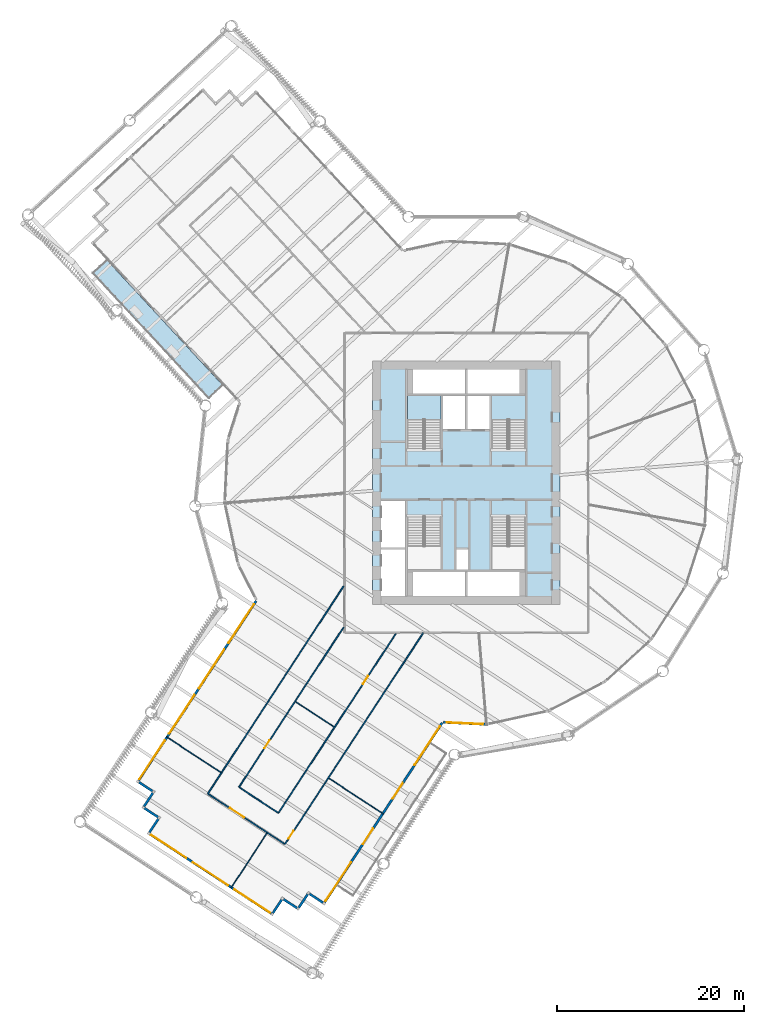
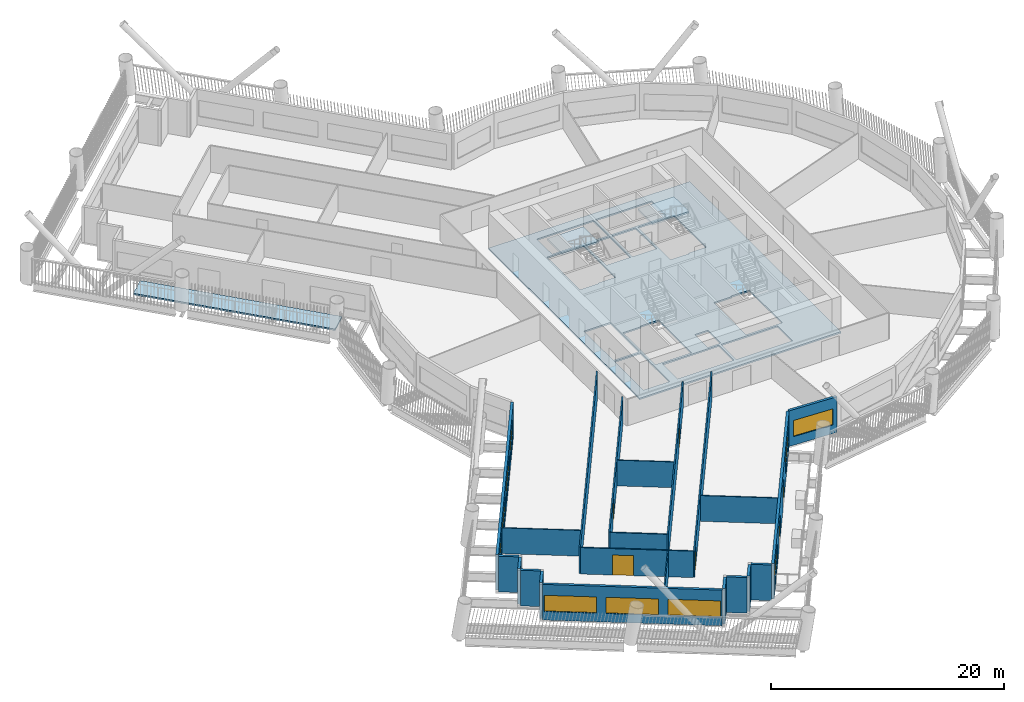
# One storey, part 3 of 22: 22 walls, 10 windows, 6 doors, 4 slabs, 16 openings, 2 elements without a shape of their own.
"""IFC4 building model written with IfcOpenShell, lengths in metres."""

from ifc_helpers import new_model, si_unit, direction, frame, frame_2d, origin, place, context, subcontext, project, spatial, polyline, rectangle, outline, extrude, material, layer, layer_set, type_object, element, fill, aggregate, save


model = new_model("IFC4")

# Units and contexts
model_context = context("Model", 3, precision=1e-05, world=origin(), true_north=direction((0.0, 1.0)))
body_context = subcontext(model_context, "Body", "Model", "MODEL_VIEW")
ifc_project = project(units=[si_unit("LENGTHUNIT", "METRE"), si_unit("AREAUNIT", "SQUARE_METRE"), si_unit("VOLUMEUNIT", "CUBIC_METRE"), si_unit("PLANEANGLEUNIT", "RADIAN"), si_unit("MASSUNIT", "GRAM", prefix="KILO")], contexts=[model_context])

# Site, building, storey
site_placement = place(None, origin())
site = spatial("IfcSite", under=ifc_project, at=site_placement, CompositionType="ELEMENT")
building_placement = place(site_placement, origin())
building = spatial("IfcBuilding", under=site, at=building_placement, Name="Tarsis Ring Headquarters", CompositionType="ELEMENT")
storey_placement = place(building_placement, frame((0.0, 0.0, 63.39990234375)))
storey = spatial("IfcBuildingStorey", under=building, at=storey_placement, Name="L13", CompositionType="ELEMENT", Elevation=63.39990234375)

# Slabs
ifc_material_1 = material(Name="Concrete C40/50", Category="concrete")
ifc_layer_1 = layer(ifc_material_1, 0.159912109375)
ifc_layer_set_1 = layer_set([ifc_layer_1], Name="Balcony slab concrete C40/50")
slab_type_1 = type_object("IfcSlabType", Name="Balcony slab concrete C40/50", PredefinedType="FLOOR", material=ifc_layer_set_1)
slab_1_placement = place(storey_placement, frame((0.0, 0.0, -0.159912109375)))
element("IfcSlab", 1, at=slab_1_placement, inside=storey, type_object=slab_type_1, Name="Balcony slab L13-01", PredefinedType="FLOOR", context=body_context, shape_type="SweptSolid", body=[
    extrude(outline(polyline([(-38.3603515625, 23.763916015625), (-39.827880859375, 22.405029296875), (-27.481201171875, 9.07177734375), (-26.013671875, 10.4306640625), (-38.3603515625, 23.763916015625)])), origin(), (0.0, 0.0, 1.0), 0.159912109375),
])
ifc_layer_2 = layer(ifc_material_1, 0.159912109375)
ifc_layer_set_2 = layer_set([ifc_layer_2], Name="Core floor slab 160 C40/50")
slab_type_2 = type_object("IfcSlabType", Name="Core floor slab 160 C40/50", PredefinedType="FLOOR", material=ifc_layer_set_2)
slab_2_placement = place(storey_placement, frame((0.0, 0.0, -0.159912109375)))
element("IfcSlab", 2, at=slab_2_placement, inside=storey, type_object=slab_type_2, Name="L13 core floor slab", PredefinedType="FLOOR", context=body_context, shape_type="SweptSolid", body=[
    extrude(outline(polyline([(-10.0, -13.0), (10.0, -13.0), (10.0, 13.0), (-10.0, 13.0), (-10.0, -13.0)]), holes=[polyline([(-2.5, 5.699951171875), (-0.10009765625, 5.699951171875), (-0.10009765625, 9.300048828125), (-2.5, 9.300048828125), (-2.5, 5.699951171875)]), polyline([(0.10009765625, 5.699951171875), (2.5, 5.699951171875), (2.5, 9.300048828125), (0.10009765625, 9.300048828125), (0.10009765625, 5.699951171875)]), polyline([(-9.10009765625, -12.10009765625), (-6.5, -12.10009765625), (-6.5, -7.10009765625), (-9.10009765625, -7.10009765625), (-9.10009765625, -12.10009765625)]), polyline([(-9.10009765625, -6.89990234375), (-6.5, -6.89990234375), (-6.5, -1.89990234375), (-9.10009765625, -1.89990234375), (-9.10009765625, -6.89990234375)]), polyline([(-5.699951171875, 9.5), (-0.10009765625, 9.5), (-0.10009765625, 12.10009765625), (-5.699951171875, 12.10009765625), (-5.699951171875, 9.5)]), polyline([(0.10009765625, 9.5), (5.699951171875, 9.5), (5.699951171875, 12.10009765625), (0.10009765625, 12.10009765625), (0.10009765625, 9.5)]), polyline([(-5.699951171875, -12.10009765625), (-0.10009765625, -12.10009765625), (-0.10009765625, -9.5), (-5.699951171875, -9.5), (-5.699951171875, -12.10009765625)]), polyline([(0.10009765625, -12.10009765625), (5.699951171875, -12.10009765625), (5.699951171875, -9.5), (0.10009765625, -9.5), (0.10009765625, -12.10009765625)]), polyline([(-1.10009765625, -9.300048828125), (0.199951171875, -9.300048828125), (0.199951171875, -7.10009765625), (-1.10009765625, -7.10009765625), (-1.10009765625, -9.300048828125)]), polyline([(-2.699951171875, 3.760009765625), (-2.699951171875, 9.300048828125), (-6.300048828125, 9.300048828125), (-6.300048828125, 3.659912109375), (-4.4599609375, 3.659912109375), (-4.4599609375, 3.760009765625), (-2.699951171875, 3.760009765625)]), polyline([(6.300048828125, 3.760009765625), (6.300048828125, 9.300048828125), (2.699951171875, 9.300048828125), (2.699951171875, 3.659912109375), (4.5400390625, 3.659912109375), (4.5400390625, 3.760009765625), (6.300048828125, 3.760009765625)]), polyline([(-6.300048828125, -3.760009765625), (-6.300048828125, -9.300048828125), (-2.699951171875, -9.300048828125), (-2.699951171875, -3.659912109375), (-4.5400390625, -3.659912109375), (-4.5400390625, -3.760009765625), (-6.300048828125, -3.760009765625)]), polyline([(2.699951171875, -3.760009765625), (2.699951171875, -9.300048828125), (6.300048828125, -9.300048828125), (6.300048828125, -3.659912109375), (4.4599609375, -3.659912109375), (4.4599609375, -3.760009765625), (2.699951171875, -3.760009765625)])]), origin(), (0.0, 0.0, 1.0), 0.159912109375),
])

# Stair, slab
ifc_material_2 = material(Name="Core stair 1760")
stair_type = type_object("IfcStairType", Name="Core stair 1760", PredefinedType="HALF_TURN_STAIR", material=ifc_material_2)
stair_1_placement = place(storey_placement, origin())
stair_1 = element("IfcStair", 3, at=stair_1_placement, inside=storey, type_object=stair_type, Name="L13 Firefighting stair", PredefinedType="HALF_TURN_STAIR")
ifc_layer_3 = layer(ifc_material_1, 0.199951171875)
ifc_layer_set_3 = layer_set([ifc_layer_3], Name="Core stair landing 200")
slab_type_3 = type_object("IfcSlabType", Name="Core stair landing 200", PredefinedType="LANDING", material=ifc_layer_set_3)
slab_3_placement = place(storey_placement, frame((0.0, 0.0, 1.75)))
slab_3 = element("IfcSlab", 4, at=slab_3_placement, type_object=slab_type_3, Name="Stair ST1 landing 1", PredefinedType="LANDING", context=body_context, shape_type="SweptSolid", body=[
    extrude(outline(polyline([(-2.699951171875, 6.739990234375), (-2.699951171875, 9.300048828125), (-6.300048828125, 9.300048828125), (-6.300048828125, 6.739990234375), (-2.699951171875, 6.739990234375)])), origin(), (0.0, 0.0, 1.0), 0.2001953125),
])
aggregate(stair_1, [slab_3])

stair_2_placement = place(storey_placement, origin())
stair_2 = element("IfcStair", 5, at=stair_2_placement, inside=storey, type_object=stair_type, Name="L13 Exit stair B", PredefinedType="HALF_TURN_STAIR")
slab_4_placement = place(storey_placement, frame((0.0, 0.0, 1.75)))
slab_4 = element("IfcSlab", 6, at=slab_4_placement, type_object=slab_type_3, Name="Stair ST2 landing 1", PredefinedType="LANDING", context=body_context, shape_type="SweptSolid", body=[
    extrude(outline(polyline([(6.300048828125, 6.739990234375), (6.300048828125, 9.300048828125), (2.699951171875, 9.300048828125), (2.699951171875, 6.739990234375), (6.300048828125, 6.739990234375)])), origin(), (0.0, 0.0, 1.0), 0.2001953125),
])
aggregate(stair_2, [slab_4])

# Walls
ifc_material_3 = material(Name="Gypsum board on steel studs", Category="steel")
ifc_layer_4 = layer(ifc_material_3, 0.10009765625)
ifc_layer_set_4 = layer_set([ifc_layer_4], Name="FL partition 100 unrated")
wall_type_1 = type_object("IfcWallType", Name="FL partition 100 unrated", PredefinedType="PARTITIONING", material=ifc_layer_set_4)
wall_1_placement = place(storey_placement, frame((-25.11669921875, -43.25830078125, 0.0), z_axis=(0.0, 0.0, 1.0), x_axis=(0.54755898409, 0.836767087631, 0.0)))
element("IfcWall", 7, at=wall_1_placement, inside=storey, type_object=wall_type_1, Name="Partition PW3", PredefinedType="PARTITIONING", context=body_context, shape_type="SweptSolid", body=[
    extrude(rectangle(XDim=7.010009765625, YDim=0.10009765625, at=frame_2d((3.5048828125, 0.0))), origin(), (0.0, 0.0, 1.0), 2.7001953125),
])
for number, where, z_axis, x_axis, name in (
    (8, (-14.671630859375, -31.53369140625, 0.0), (0.0, 0.0, 1.0), (0.836758209234, -0.547572551612, 0.0), "Partition PW3"),
    (9, (-32.016845703125, -27.102783203125, 0.0), (0.0, 0.0, 1.0), (0.836742136794, -0.547597111491, 0.0), "Partition PW3"),
):
    element("IfcWall", number, at=place(storey_placement, frame(where, z_axis=z_axis, x_axis=x_axis)), inside=storey, type_object=wall_type_1, Name=name, PredefinedType="PARTITIONING", context=body_context, shape_type="SweptSolid", body=[
        extrude(rectangle(XDim=6.9599609375, YDim=0.10009765625, at=frame_2d((3.47998046875, 0.0))), origin(), (0.0, 0.0, 1.0), 2.7001953125),
    ])
wall_2_placement = place(storey_placement, frame((-18.214111328125, -23.35986328125, 0.0), z_axis=(0.0, 0.0, 1.0), x_axis=(0.836779966296, -0.547539302705, 0.0)))
element("IfcWall", 10, at=wall_2_placement, inside=storey, type_object=wall_type_1, Name="Partition PW3", PredefinedType="PARTITIONING", context=body_context, shape_type="SweptSolid", body=[
    extrude(rectangle(XDim=4.89990234375, YDim=0.10009765625, at=frame_2d((2.449951171875, 0.0))), origin(), (0.0, 0.0, 1.0), 2.7001953125),
])

# Wall, opening, door
ifc_layer_5 = layer(ifc_material_3, 0.125)
ifc_layer_set_5 = layer_set([ifc_layer_5], Name="FL partition 125 EI 60 H2770")
wall_type_2 = type_object("IfcWallType", Name="FL partition 125 EI 60 H2770", PredefinedType="PARTITIONING", material=ifc_layer_set_5)
wall_3_placement = place(storey_placement, frame((-19.357177734375, -38.566162109375, 0.0), z_axis=(0.0, 0.0, 1.0), x_axis=(0.547562262884, 0.836764942063, 0.0)))
wall_3 = element("IfcWall", 11, at=wall_3_placement, inside=storey, type_object=wall_type_2, Name="Partition PW1", PredefinedType="PARTITIONING", context=body_context, shape_type="SweptSolid", body=[
    extrude(rectangle(XDim=26.96826171875, YDim=0.125, at=frame_2d((13.484130859375, 0.0))), origin(), (0.0, 0.0, 1.0), 2.77001953125),
])
opening_1_placement = place(wall_3_placement, frame((0.699951171875, 0.0, 0.0)))
opening_1 = element("IfcOpeningElement", 12, at=opening_1_placement, cuts=wall_3, Name="Opening D13.09", PredefinedType="OPENING", context=body_context, shape_type="SweptSolid", body=[
    extrude(rectangle(XDim=1.0, YDim=2.10009765625, at=frame_2d((0.5, 1.050048828125))), frame((0.0, 0.072509765625, 0.0), z_axis=(0.0, -1.0, 0.0), x_axis=(1.0, 0.0, 0.0)), (0.0, 0.0, 1.0), 0.14501953125),
])
ifc_material_4 = material(Name="Fire-rated timber door leaf in steel frame", Category="steel")
door_type_1 = type_object("IfcDoorType", Name="FL door FD60-1000", OperationType="NOTDEFINED", PredefinedType="DOOR", material=ifc_material_4)
door_1_placement = place(opening_1_placement, origin())
door_1 = element("IfcDoor", 13, at=door_1_placement, inside=storey, type_object=door_type_1, Name="Door D13.09", OperationType="SINGLE_SWING_RIGHT", OverallHeight=2.10009765625, OverallWidth=1.0, PredefinedType="DOOR", context=body_context, shape_type="SweptSolid", body=[
    extrude(rectangle(XDim=1.0, YDim=2.10009765625, at=frame_2d((0.5, 1.050048828125))), frame((0.0, 0.02490234375, 0.0), z_axis=(0.0, -1.0, 0.0), x_axis=(1.0, 0.0, 0.0)), (0.0, 0.0, 1.0), 0.050048828125),
])
fill(opening_1, door_1)

# Wall
wall_4_placement = place(storey_placement, frame((-27.5908203125, -33.177978515625, 0.0), z_axis=(0.0, 0.0, 1.0), x_axis=(0.547563091085, 0.836764400104, 0.0)))
element("IfcWall", 14, at=wall_4_placement, inside=storey, type_object=wall_type_2, Name="Partition PW1", PredefinedType="PARTITIONING", context=body_context, shape_type="SweptSolid", body=[
    extrude(rectangle(XDim=26.456787109375, YDim=0.125, at=frame_2d((13.228515625, 0.0))), origin(), (0.0, 0.0, 1.0), 2.77001953125),
])

# Wall, opening, door
wall_5_placement = place(storey_placement, frame((-20.05126953125, -35.24365234375, 0.0), z_axis=(0.0, 0.0, 1.0), x_axis=(0.547569057115, 0.836760496014, 0.0)))
wall_5 = element("IfcWall", 15, at=wall_5_placement, inside=storey, type_object=wall_type_2, Name="Partition PW1", PredefinedType="PARTITIONING", context=body_context, shape_type="SweptSolid", body=[
    extrude(rectangle(XDim=22.897705078125, YDim=0.125, at=frame_2d((11.44873046875, 0.0))), origin(), (0.0, 0.0, 1.0), 2.77001953125),
])
opening_2_placement = place(wall_5_placement, frame((16.474853515625, 0.0, 0.0)))
opening_2 = element("IfcOpeningElement", 16, at=opening_2_placement, cuts=wall_5, Name="Opening D13.15", PredefinedType="OPENING", context=body_context, shape_type="SweptSolid", body=[
    extrude(rectangle(XDim=1.0, YDim=2.10009765625, at=frame_2d((0.5, 1.050048828125))), frame((0.0, 0.072509765625, 0.0), z_axis=(0.0, -1.0, 0.0), x_axis=(1.0, 0.0, 0.0)), (0.0, 0.0, 1.0), 0.14501953125),
])
door_2_placement = place(opening_2_placement, origin())
door_2 = element("IfcDoor", 17, at=door_2_placement, inside=storey, type_object=door_type_1, Name="Door D13.15", OperationType="SINGLE_SWING_RIGHT", OverallHeight=2.10009765625, OverallWidth=1.0, PredefinedType="DOOR", context=body_context, shape_type="SweptSolid", body=[
    extrude(rectangle(XDim=1.0, YDim=2.10009765625, at=frame_2d((0.5, 1.050048828125))), frame((0.0, 0.02490234375, 0.0), z_axis=(0.0, -1.0, 0.0), x_axis=(1.0, 0.0, 0.0)), (0.0, 0.0, 1.0), 0.050048828125),
])
fill(opening_2, door_2)

wall_6_placement = place(storey_placement, frame((-24.2685546875, -32.48388671875, 0.0), z_axis=(0.0, 0.0, 1.0), x_axis=(0.547567420295, 0.836761567134, 0.0)))
wall_6 = element("IfcWall", 18, at=wall_6_placement, inside=storey, type_object=wall_type_2, Name="Partition PW1", PredefinedType="PARTITIONING", context=body_context, shape_type="SweptSolid", body=[
    extrude(rectangle(XDim=20.389404296875, YDim=0.125, at=frame_2d((10.19482421875, 0.0))), origin(), (0.0, 0.0, 1.0), 2.77001953125),
])
opening_3_placement = place(wall_6_placement, frame((4.97607421875, 0.0, 0.0)))
opening_3 = element("IfcOpeningElement", 19, at=opening_3_placement, cuts=wall_6, Name="Opening D13.16", PredefinedType="OPENING", context=body_context, shape_type="SweptSolid", body=[
    extrude(rectangle(XDim=1.0, YDim=2.10009765625, at=frame_2d((0.5, 1.050048828125))), frame((0.0, 0.072509765625, 0.0), z_axis=(0.0, -1.0, 0.0), x_axis=(1.0, 0.0, 0.0)), (0.0, 0.0, 1.0), 0.14501953125),
])
door_3_placement = place(opening_3_placement, origin())
door_3 = element("IfcDoor", 20, at=door_3_placement, inside=storey, type_object=door_type_1, Name="Door D13.16", OperationType="SINGLE_SWING_LEFT", OverallHeight=2.10009765625, OverallWidth=1.0, PredefinedType="DOOR", context=body_context, shape_type="SweptSolid", body=[
    extrude(rectangle(XDim=1.0, YDim=2.10009765625, at=frame_2d((0.5, 1.050048828125))), frame((0.0, 0.02490234375, 0.0), z_axis=(0.0, -1.0, 0.0), x_axis=(1.0, 0.0, 0.0)), (0.0, 0.0, 1.0), 0.050048828125),
])
fill(opening_3, door_3)

wall_7_placement = place(storey_placement, frame((-27.540771484375, -33.2109375, 0.0), z_axis=(0.0, 0.0, 1.0), x_axis=(0.836765127579, -0.547561979385, 0.0)))
wall_7 = element("IfcWall", 21, at=wall_7_placement, inside=storey, type_object=wall_type_2, Name="Partition PW1", PredefinedType="PARTITIONING", context=body_context, shape_type="SweptSolid", body=[
    extrude(rectangle(XDim=9.719970703125, YDim=0.125, at=frame_2d((4.85986328125, 0.0))), origin(), (0.0, 0.0, 1.0), 2.77001953125),
])
opening_4_placement = place(wall_7_placement, frame((2.760009765625, 0.0, 0.0)))
opening_4 = element("IfcOpeningElement", 22, at=opening_4_placement, cuts=wall_7, Name="Opening D13.10", PredefinedType="OPENING", context=body_context, shape_type="SweptSolid", body=[
    extrude(rectangle(XDim=1.800048828125, YDim=2.10009765625, at=frame_2d((0.89990234375, 1.050048828125))), frame((0.0, 0.072509765625, 0.0), z_axis=(0.0, -1.0, 0.0), x_axis=(1.0, 0.0, 0.0)), (0.0, 0.0, 1.0), 0.14501953125),
])
door_type_2 = type_object("IfcDoorType", Name="FL door FD60-1800", OperationType="DOUBLE_DOOR_SINGLE_SWING", PredefinedType="DOOR", material=ifc_material_4)
door_4_placement = place(opening_4_placement, origin())
door_4 = element("IfcDoor", 23, at=door_4_placement, inside=storey, type_object=door_type_2, Name="Door D13.10", OperationType="DOUBLE_DOOR_SINGLE_SWING", OverallHeight=2.10009765625, OverallWidth=1.800048828125, PredefinedType="DOOR", context=body_context, shape_type="SweptSolid", body=[
    extrude(rectangle(XDim=1.800048828125, YDim=2.10009765625, at=frame_2d((0.89990234375, 1.050048828125))), frame((0.0, 0.02490234375, 0.0), z_axis=(0.0, -1.0, 0.0), x_axis=(1.0, 0.0, 0.0)), (0.0, 0.0, 1.0), 0.050048828125),
])
fill(opening_4, door_4)

# Wall
wall_8_placement = place(storey_placement, frame((-24.21826171875, -32.516845703125, 0.0), z_axis=(0.0, 0.0, 1.0), x_axis=(0.836760630147, -0.547568852142, 0.0)))
element("IfcWall", 24, at=wall_8_placement, inside=storey, type_object=wall_type_2, Name="Partition PW1", PredefinedType="PARTITIONING", context=body_context, shape_type="SweptSolid", body=[
    extrude(rectangle(XDim=4.920166015625, YDim=0.125, at=frame_2d((2.4599609375, 0.0))), origin(), (0.0, 0.0, 1.0), 2.77001953125),
])

# Wall, openings, windows
ifc_material_5 = material(Name="Terracotta clad insulated panel wall", Category="masonry")
ifc_layer_6 = layer(ifc_material_5, 0.25)
ifc_layer_set_6 = layer_set([ifc_layer_6], Name="Facade wall terracotta panel 250")
wall_type_3 = type_object("IfcWallType", Name="Facade wall terracotta panel 250", PredefinedType="STANDARD", material=ifc_layer_set_6)
wall_9_placement = place(storey_placement, frame((-22.436279296875, -12.599365234375, 0.0), z_axis=(0.0, 0.0, 1.0), x_axis=(-0.547566711703, -0.836762030827, 0.0)))
wall_9 = element("IfcWall", 25, at=wall_9_placement, inside=storey, type_object=wall_type_3, Name="External wall L13-06", PredefinedType="STANDARD", context=body_context, shape_type="SweptSolid", body=[
    extrude(rectangle(XDim=22.921875, YDim=0.25, at=frame_2d((11.4609375, 0.0))), origin(), (0.0, 0.0, 1.0), 3.739990234375),
])
opening_5_placement = place(wall_9_placement, frame((0.42138671875, 0.0, 0.89990234375)))
opening_5 = element("IfcOpeningElement", 26, at=opening_5_placement, cuts=wall_9, Name="Opening WN05", PredefinedType="OPENING", context=body_context, shape_type="SweptSolid", body=[
    extrude(rectangle(XDim=4.949951171875, YDim=1.699951171875, at=frame_2d((2.47509765625, 0.85009765625))), frame((0.0, 0.135009765625, 0.0), z_axis=(0.0, -1.0, 0.0), x_axis=(1.0, 0.0, 0.0)), (0.0, 0.0, 1.0), 0.27001953125),
])
opening_6_placement = place(wall_9_placement, frame((6.214599609375, 0.0, 0.89990234375)))
opening_6 = element("IfcOpeningElement", 27, at=opening_6_placement, cuts=wall_9, Name="Opening WN05", PredefinedType="OPENING", context=body_context, shape_type="SweptSolid", body=[
    extrude(rectangle(XDim=4.949951171875, YDim=1.699951171875, at=frame_2d((2.47509765625, 0.85009765625))), frame((0.0, 0.135009765625, 0.0), z_axis=(0.0, -1.0, 0.0), x_axis=(1.0, 0.0, 0.0)), (0.0, 0.0, 1.0), 0.27001953125),
])
opening_7_placement = place(wall_9_placement, frame((12.007568359375, 0.0, 0.89990234375)))
opening_7 = element("IfcOpeningElement", 28, at=opening_7_placement, cuts=wall_9, Name="Opening WN05", PredefinedType="OPENING", context=body_context, shape_type="SweptSolid", body=[
    extrude(rectangle(XDim=4.949951171875, YDim=1.699951171875, at=frame_2d((2.47509765625, 0.85009765625))), frame((0.0, 0.135009765625, 0.0), z_axis=(0.0, -1.0, 0.0), x_axis=(1.0, 0.0, 0.0)), (0.0, 0.0, 1.0), 0.27001953125),
])
opening_8_placement = place(wall_9_placement, frame((17.800537109375, 0.0, 0.89990234375)))
opening_8 = element("IfcOpeningElement", 29, at=opening_8_placement, cuts=wall_9, Name="Opening WN05", PredefinedType="OPENING", context=body_context, shape_type="SweptSolid", body=[
    extrude(rectangle(XDim=4.949951171875, YDim=1.699951171875, at=frame_2d((2.47509765625, 0.85009765625))), frame((0.0, 0.135009765625, 0.0), z_axis=(0.0, -1.0, 0.0), x_axis=(1.0, 0.0, 0.0)), (0.0, 0.0, 1.0), 0.27001953125),
])
ifc_material_6 = material(Name="Aluminium framed double glazing", Category="aluminium")
window_type_1 = type_object("IfcWindowType", Name="Facade window 4950 x 1700", PartitioningType="SINGLE_PANEL", PredefinedType="WINDOW", material=ifc_material_6)
window_1_placement = place(opening_5_placement, origin())
window_1 = element("IfcWindow", 30, at=window_1_placement, inside=storey, type_object=window_type_1, Name="Window L13-06.1", OverallHeight=1.699951171875, OverallWidth=4.949951171875, PartitioningType="SINGLE_PANEL", PredefinedType="WINDOW", context=body_context, shape_type="SweptSolid", body=[
    extrude(rectangle(XDim=4.949951171875, YDim=1.699951171875, at=frame_2d((2.47509765625, 0.85009765625))), frame((0.0, 0.030029296875, 0.0), z_axis=(0.0, -1.0, 0.0), x_axis=(1.0, 0.0, 0.0)), (0.0, 0.0, 1.0), 0.06005859375),
])
fill(opening_5, window_1)
window_2_placement = place(opening_6_placement, origin())
window_2 = element("IfcWindow", 31, at=window_2_placement, inside=storey, type_object=window_type_1, Name="Window L13-06.2", OverallHeight=1.699951171875, OverallWidth=4.949951171875, PartitioningType="SINGLE_PANEL", PredefinedType="WINDOW", context=body_context, shape_type="SweptSolid", body=[
    extrude(rectangle(XDim=4.949951171875, YDim=1.699951171875, at=frame_2d((2.47509765625, 0.85009765625))), frame((0.0, 0.030029296875, 0.0), z_axis=(0.0, -1.0, 0.0), x_axis=(1.0, 0.0, 0.0)), (0.0, 0.0, 1.0), 0.06005859375),
])
fill(opening_6, window_2)
window_3_placement = place(opening_7_placement, origin())
window_3 = element("IfcWindow", 32, at=window_3_placement, inside=storey, type_object=window_type_1, Name="Window L13-06.3", OverallHeight=1.699951171875, OverallWidth=4.949951171875, PartitioningType="SINGLE_PANEL", PredefinedType="WINDOW", context=body_context, shape_type="SweptSolid", body=[
    extrude(rectangle(XDim=4.949951171875, YDim=1.699951171875, at=frame_2d((2.47509765625, 0.85009765625))), frame((0.0, 0.030029296875, 0.0), z_axis=(0.0, -1.0, 0.0), x_axis=(1.0, 0.0, 0.0)), (0.0, 0.0, 1.0), 0.06005859375),
])
fill(opening_7, window_3)
window_4_placement = place(opening_8_placement, origin())
window_4 = element("IfcWindow", 33, at=window_4_placement, inside=storey, type_object=window_type_1, Name="Window L13-06.4", OverallHeight=1.699951171875, OverallWidth=4.949951171875, PartitioningType="SINGLE_PANEL", PredefinedType="WINDOW", context=body_context, shape_type="SweptSolid", body=[
    extrude(rectangle(XDim=4.949951171875, YDim=1.699951171875, at=frame_2d((2.47509765625, 0.85009765625))), frame((0.0, 0.030029296875, 0.0), z_axis=(0.0, -1.0, 0.0), x_axis=(1.0, 0.0, 0.0)), (0.0, 0.0, 1.0), 0.06005859375),
])
fill(opening_8, window_4)

# Walls
for number, where, z_axis, x_axis, name in (
    (34, (-34.951416015625, -31.95263671875, 0.0), (0.0, 0.0, 1.0), (0.836763112943, -0.547565058069, 0.0), "External wall L13-07"),
    (35, (-33.450927734375, -33.083984375, 0.0), (0.0, 0.0, 1.0), (-0.547565058069, -0.836763112943, 0.0), "External wall L13-08"),
    (36, (-34.373046875, -34.721435546875, 0.0), (0.0, 0.0, 1.0), (0.836763112943, -0.547565058069, 0.0), "External wall L13-09"),
    (37, (-32.87255859375, -35.8525390625, 0.0), (0.0, 0.0, 1.0), (-0.547565058069, -0.836763112943, 0.0), "External wall L13-10"),
):
    element("IfcWall", number, at=place(storey_placement, frame(where, z_axis=z_axis, x_axis=x_axis)), inside=storey, type_object=wall_type_3, Name=name, PredefinedType="STANDARD", context=body_context, shape_type="SweptSolid", body=[
        extrude(rectangle(XDim=1.75, YDim=0.25, at=frame_2d((0.875, 0.0))), origin(), (0.0, 0.0, 1.0), 3.739990234375),
    ])

# Wall, openings, windows
wall_10_placement = place(storey_placement, frame((-33.794677734375, -37.489990234375, 0.0), z_axis=(0.0, 0.0, 1.0), x_axis=(0.836764500224, -0.547562938085, 0.0)))
wall_10 = element("IfcWall", 38, at=wall_10_placement, inside=storey, type_object=wall_type_3, Name="External wall L13-11", PredefinedType="STANDARD", context=body_context, shape_type="SweptSolid", body=[
    extrude(rectangle(XDim=15.500244140625, YDim=0.25, at=frame_2d((7.75, 0.0))), origin(), (0.0, 0.0, 1.0), 3.739990234375),
])
opening_9_placement = place(wall_10_placement, frame((0.166748046875, 0.0, 0.89990234375)))
opening_9 = element("IfcOpeningElement", 39, at=opening_9_placement, cuts=wall_10, Name="Opening WN04", PredefinedType="OPENING", context=body_context, shape_type="SweptSolid", body=[
    extrude(rectangle(XDim=4.5, YDim=1.699951171875, at=frame_2d((2.25, 0.85009765625))), frame((0.0, 0.135009765625, 0.0), z_axis=(0.0, -1.0, 0.0), x_axis=(1.0, 0.0, 0.0)), (0.0, 0.0, 1.0), 0.27001953125),
])
opening_10_placement = place(wall_10_placement, frame((5.5, 0.0, 0.89990234375)))
opening_10 = element("IfcOpeningElement", 40, at=opening_10_placement, cuts=wall_10, Name="Opening WN04", PredefinedType="OPENING", context=body_context, shape_type="SweptSolid", body=[
    extrude(rectangle(XDim=4.5, YDim=1.699951171875, at=frame_2d((2.25, 0.85009765625))), frame((0.0, 0.135009765625, 0.0), z_axis=(0.0, -1.0, 0.0), x_axis=(1.0, 0.0, 0.0)), (0.0, 0.0, 1.0), 0.27001953125),
])
opening_11_placement = place(wall_10_placement, frame((10.833251953125, 0.0, 0.89990234375)))
opening_11 = element("IfcOpeningElement", 41, at=opening_11_placement, cuts=wall_10, Name="Opening WN04", PredefinedType="OPENING", context=body_context, shape_type="SweptSolid", body=[
    extrude(rectangle(XDim=4.5, YDim=1.699951171875, at=frame_2d((2.25, 0.85009765625))), frame((0.0, 0.135009765625, 0.0), z_axis=(0.0, -1.0, 0.0), x_axis=(1.0, 0.0, 0.0)), (0.0, 0.0, 1.0), 0.27001953125),
])
window_type_2 = type_object("IfcWindowType", Name="Facade window 4500 x 1700", PartitioningType="SINGLE_PANEL", PredefinedType="WINDOW", material=ifc_material_6)
window_5_placement = place(opening_9_placement, origin())
window_5 = element("IfcWindow", 42, at=window_5_placement, inside=storey, type_object=window_type_2, Name="Window L13-11.1", OverallHeight=1.699951171875, OverallWidth=4.5, PartitioningType="SINGLE_PANEL", PredefinedType="WINDOW", context=body_context, shape_type="SweptSolid", body=[
    extrude(rectangle(XDim=4.5, YDim=1.699951171875, at=frame_2d((2.25, 0.85009765625))), frame((0.0, 0.030029296875, 0.0), z_axis=(0.0, -1.0, 0.0), x_axis=(1.0, 0.0, 0.0)), (0.0, 0.0, 1.0), 0.06005859375),
])
fill(opening_9, window_5)
window_6_placement = place(opening_10_placement, origin())
window_6 = element("IfcWindow", 43, at=window_6_placement, inside=storey, type_object=window_type_2, Name="Window L13-11.2", OverallHeight=1.699951171875, OverallWidth=4.5, PartitioningType="SINGLE_PANEL", PredefinedType="WINDOW", context=body_context, shape_type="SweptSolid", body=[
    extrude(rectangle(XDim=4.5, YDim=1.699951171875, at=frame_2d((2.25, 0.85009765625))), frame((0.0, 0.030029296875, 0.0), z_axis=(0.0, -1.0, 0.0), x_axis=(1.0, 0.0, 0.0)), (0.0, 0.0, 1.0), 0.06005859375),
])
fill(opening_10, window_6)
window_7_placement = place(opening_11_placement, origin())
window_7 = element("IfcWindow", 44, at=window_7_placement, inside=storey, type_object=window_type_2, Name="Window L13-11.3", OverallHeight=1.699951171875, OverallWidth=4.5, PartitioningType="SINGLE_PANEL", PredefinedType="WINDOW", context=body_context, shape_type="SweptSolid", body=[
    extrude(rectangle(XDim=4.5, YDim=1.699951171875, at=frame_2d((2.25, 0.85009765625))), frame((0.0, 0.030029296875, 0.0), z_axis=(0.0, -1.0, 0.0), x_axis=(1.0, 0.0, 0.0)), (0.0, 0.0, 1.0), 0.06005859375),
])
fill(opening_11, window_7)

# Walls
for number, where, z_axis, x_axis, name in (
    (45, (-20.65185546875, -45.941162109375, 0.0), (0.0, 0.0, 1.0), (0.547565058069, 0.836763112943, 0.0), "External wall L13-12"),
    (46, (-19.5205078125, -44.440673828125, 0.0), (0.0, 0.0, 1.0), (0.836763112943, -0.547565058069, 0.0), "External wall L13-13"),
    (47, (-17.883056640625, -45.36279296875, 0.0), (0.0, 0.0, 1.0), (0.547565058069, 0.836763112943, 0.0), "External wall L13-14"),
):
    element("IfcWall", number, at=place(storey_placement, frame(where, z_axis=z_axis, x_axis=x_axis)), inside=storey, type_object=wall_type_3, Name=name, PredefinedType="STANDARD", context=body_context, shape_type="SweptSolid", body=[
        extrude(rectangle(XDim=1.75, YDim=0.25, at=frame_2d((0.875, 0.0))), origin(), (0.0, 0.0, 1.0), 3.739990234375),
    ])
wall_11_placement = place(storey_placement, frame((-16.751708984375, -43.8623046875, 0.0), z_axis=(0.0, 0.0, 1.0), x_axis=(0.836785208128, -0.547531291762, 0.0)))
element("IfcWall", 48, at=wall_11_placement, inside=storey, type_object=wall_type_3, Name="External wall L13-15", PredefinedType="STANDARD", context=body_context, shape_type="SweptSolid", body=[
    extrude(rectangle(XDim=1.749755859375, YDim=0.25, at=frame_2d((0.875, 0.0))), origin(), (0.0, 0.0, 1.0), 3.739990234375),
])

# Wall, openings, doors, windows
wall_12_placement = place(storey_placement, frame((-15.114501953125, -44.7841796875, 0.0), z_axis=(0.0, 0.0, 1.0), x_axis=(0.547570156595, 0.836759776523, 0.0)))
wall_12 = element("IfcWall", 49, at=wall_12_placement, inside=storey, type_object=wall_type_3, Name="External wall L13-16", PredefinedType="STANDARD", context=body_context, shape_type="SweptSolid", body=[
    extrude(rectangle(XDim=22.9013671875, YDim=0.25, at=frame_2d((11.45068359375, 0.0))), origin(), (0.0, 0.0, 1.0), 3.739990234375),
])
opening_12_placement = place(wall_12_placement, frame((0.1689453125, 0.0, 0.89990234375)))
opening_12 = element("IfcOpeningElement", 50, at=opening_12_placement, cuts=wall_12, Name="Opening WN05", PredefinedType="OPENING", context=body_context, shape_type="SweptSolid", body=[
    extrude(rectangle(XDim=4.949951171875, YDim=1.699951171875, at=frame_2d((2.47509765625, 0.85009765625))), frame((0.0, 0.135009765625, 0.0), z_axis=(0.0, -1.0, 0.0), x_axis=(1.0, 0.0, 0.0)), (0.0, 0.0, 1.0), 0.27001953125),
])
opening_13_placement = place(wall_12_placement, frame((7.431640625, 0.0, 0.0)))
opening_13 = element("IfcOpeningElement", 51, at=opening_13_placement, cuts=wall_12, Name="Opening L13-BD03", PredefinedType="OPENING", context=body_context, shape_type="SweptSolid", body=[
    extrude(rectangle(XDim=2.0, YDim=2.39990234375, at=frame_2d((1.0, 1.199951171875))), frame((0.0, 0.135009765625, 0.0), z_axis=(0.0, -1.0, 0.0), x_axis=(1.0, 0.0, 0.0)), (0.0, 0.0, 1.0), 0.27001953125),
])
opening_14_placement = place(wall_12_placement, frame((13.219482421875, 0.0, 0.0)))
opening_14 = element("IfcOpeningElement", 52, at=opening_14_placement, cuts=wall_12, Name="Opening L13-BD04", PredefinedType="OPENING", context=body_context, shape_type="SweptSolid", body=[
    extrude(rectangle(XDim=2.0, YDim=2.39990234375, at=frame_2d((1.0, 1.199951171875))), frame((0.0, 0.135009765625, 0.0), z_axis=(0.0, -1.0, 0.0), x_axis=(1.0, 0.0, 0.0)), (0.0, 0.0, 1.0), 0.27001953125),
])
opening_15_placement = place(wall_12_placement, frame((17.532470703125, 0.0, 0.89990234375)))
opening_15 = element("IfcOpeningElement", 53, at=opening_15_placement, cuts=wall_12, Name="Opening WN05", PredefinedType="OPENING", context=body_context, shape_type="SweptSolid", body=[
    extrude(rectangle(XDim=4.949951171875, YDim=1.699951171875, at=frame_2d((2.47509765625, 0.85009765625))), frame((0.0, 0.135009765625, 0.0), z_axis=(0.0, -1.0, 0.0), x_axis=(1.0, 0.0, 0.0)), (0.0, 0.0, 1.0), 0.27001953125),
])
door_type_3 = type_object("IfcDoorType", Name="Balcony sliding door 2000 x 2400", OperationType="SLIDING_TO_LEFT", PredefinedType="DOOR", material=ifc_material_6)
door_5_placement = place(opening_13_placement, origin())
door_5 = element("IfcDoor", 54, at=door_5_placement, inside=storey, type_object=door_type_3, Name="Door L13-BD03", OperationType="SINGLE_SWING_LEFT", OverallHeight=2.39990234375, OverallWidth=2.0, PredefinedType="DOOR", context=body_context, shape_type="SweptSolid", body=[
    extrude(rectangle(XDim=2.0, YDim=2.39990234375, at=frame_2d((1.0, 1.199951171875))), frame((0.0, 0.02490234375, 0.0), z_axis=(0.0, -1.0, 0.0), x_axis=(1.0, 0.0, 0.0)), (0.0, 0.0, 1.0), 0.050048828125),
])
fill(opening_13, door_5)
door_6_placement = place(opening_14_placement, origin())
door_6 = element("IfcDoor", 55, at=door_6_placement, inside=storey, type_object=door_type_3, Name="Door L13-BD04", OperationType="SINGLE_SWING_LEFT", OverallHeight=2.39990234375, OverallWidth=2.0, PredefinedType="DOOR", context=body_context, shape_type="SweptSolid", body=[
    extrude(rectangle(XDim=2.0, YDim=2.39990234375, at=frame_2d((1.0, 1.199951171875))), frame((0.0, 0.02490234375, 0.0), z_axis=(0.0, -1.0, 0.0), x_axis=(1.0, 0.0, 0.0)), (0.0, 0.0, 1.0), 0.050048828125),
])
fill(opening_14, door_6)
window_8_placement = place(opening_12_placement, origin())
window_8 = element("IfcWindow", 56, at=window_8_placement, inside=storey, type_object=window_type_1, Name="Window L13-16.1", OverallHeight=1.699951171875, OverallWidth=4.949951171875, PartitioningType="SINGLE_PANEL", PredefinedType="WINDOW", context=body_context, shape_type="SweptSolid", body=[
    extrude(rectangle(XDim=4.949951171875, YDim=1.699951171875, at=frame_2d((2.47509765625, 0.85009765625))), frame((0.0, 0.030029296875, 0.0), z_axis=(0.0, -1.0, 0.0), x_axis=(1.0, 0.0, 0.0)), (0.0, 0.0, 1.0), 0.06005859375),
])
fill(opening_12, window_8)
window_9_placement = place(opening_15_placement, origin())
window_9 = element("IfcWindow", 57, at=window_9_placement, inside=storey, type_object=window_type_1, Name="Window L13-16.4", OverallHeight=1.699951171875, OverallWidth=4.949951171875, PartitioningType="SINGLE_PANEL", PredefinedType="WINDOW", context=body_context, shape_type="SweptSolid", body=[
    extrude(rectangle(XDim=4.949951171875, YDim=1.699951171875, at=frame_2d((2.47509765625, 0.85009765625))), frame((0.0, 0.030029296875, 0.0), z_axis=(0.0, -1.0, 0.0), x_axis=(1.0, 0.0, 0.0)), (0.0, 0.0, 1.0), 0.06005859375),
])
fill(opening_15, window_9)

# Wall, opening, window
wall_13_placement = place(storey_placement, frame((-2.464111328125, -25.56494140625, 0.0), z_axis=(0.0, 0.0, 1.0), x_axis=(0.998889920788, -0.047105478957, 0.0)))
wall_13 = element("IfcWall", 58, at=wall_13_placement, inside=storey, type_object=wall_type_3, Name="External wall L13-17", PredefinedType="STANDARD", context=body_context, shape_type="SweptSolid", body=[
    extrude(rectangle(XDim=4.617919921875, YDim=0.25, at=frame_2d((2.30908203125, 0.0))), origin(), (0.0, 0.0, 1.0), 3.739990234375),
])
opening_16_placement = place(wall_13_placement, frame((0.400390625, 0.0, 0.89990234375)))
opening_16 = element("IfcOpeningElement", 59, at=opening_16_placement, cuts=wall_13, Name="Opening WN02", PredefinedType="OPENING", context=body_context, shape_type="SweptSolid", body=[
    extrude(rectangle(XDim=3.85009765625, YDim=1.699951171875, at=frame_2d((1.925048828125, 0.85009765625))), frame((0.0, 0.135009765625, 0.0), z_axis=(0.0, -1.0, 0.0), x_axis=(1.0, 0.0, 0.0)), (0.0, 0.0, 1.0), 0.27001953125),
])
window_type_3 = type_object("IfcWindowType", Name="Facade window 3850 x 1700", PartitioningType="SINGLE_PANEL", PredefinedType="WINDOW", material=ifc_material_6)
window_10_placement = place(opening_16_placement, origin())
window_10 = element("IfcWindow", 60, at=window_10_placement, inside=storey, type_object=window_type_3, Name="Window L13-17.1", OverallHeight=1.699951171875, OverallWidth=3.85009765625, PartitioningType="SINGLE_PANEL", PredefinedType="WINDOW", context=body_context, shape_type="SweptSolid", body=[
    extrude(rectangle(XDim=3.85009765625, YDim=1.699951171875, at=frame_2d((1.925048828125, 0.85009765625))), frame((0.0, 0.030029296875, 0.0), z_axis=(0.0, -1.0, 0.0), x_axis=(1.0, 0.0, 0.0)), (0.0, 0.0, 1.0), 0.06005859375),
])
fill(opening_16, window_10)

save(model, "model.ifc")
